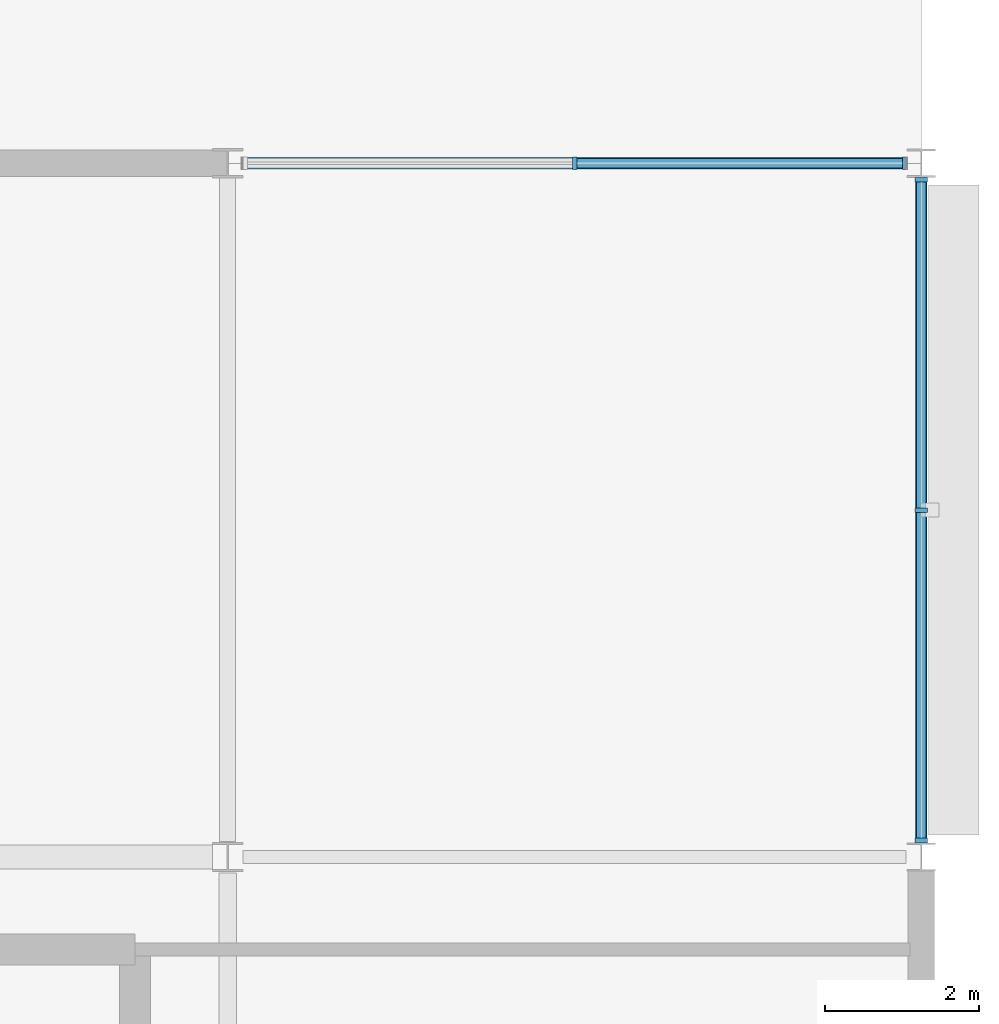
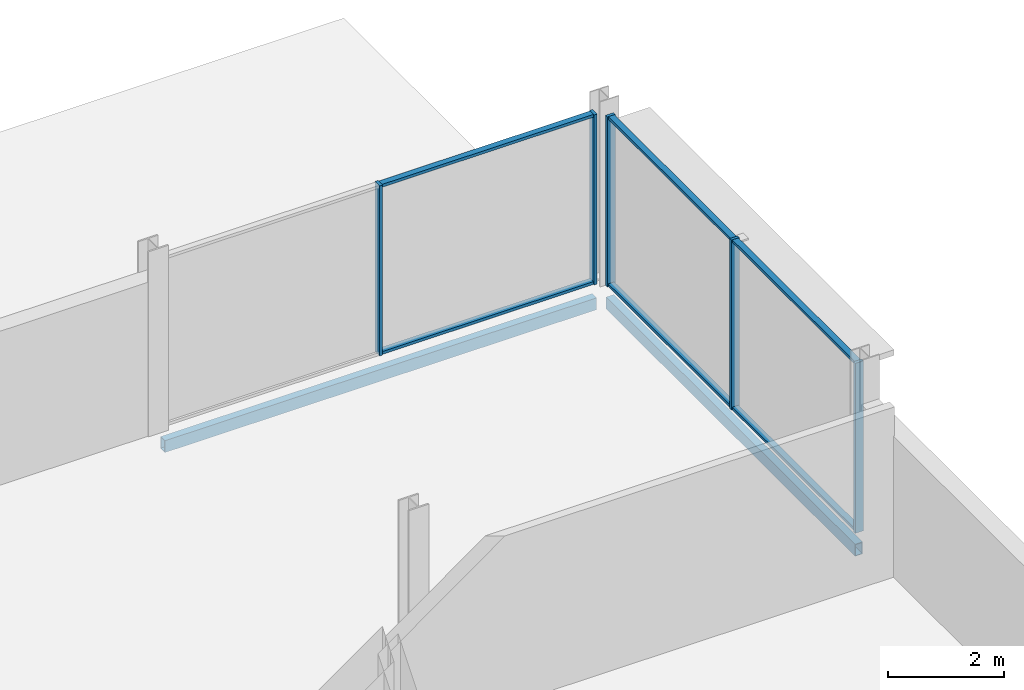
# One storey, part 56 of 105: 11 members, 2 beams, 2 elements without a shape of their own.
"""IFC4 building model written with IfcOpenShell, lengths in metres."""

from ifc_helpers import new_model, si_unit, direction, frame, origin, origin_2d, place, context, subcontext, project, spatial, rectangle, hollow_rectangle, extrude, material, layer, layer_set, material_profile, profile_set, type_object, element, aggregate, save


model = new_model("IFC4")

# Units and contexts
model_context = context("Model", 3, precision=1e-05, world=origin(), true_north=direction((0.0, 1.0)))
body_context = subcontext(model_context, "Body", "Model", "MODEL_VIEW")
ifc_project = project(units=[si_unit("LENGTHUNIT", "METRE"), si_unit("AREAUNIT", "SQUARE_METRE"), si_unit("VOLUMEUNIT", "CUBIC_METRE"), si_unit("PLANEANGLEUNIT", "RADIAN"), si_unit("MASSUNIT", "GRAM", prefix="KILO")], contexts=[model_context])

# Site, building, storey
site_placement = place(None, origin())
site = spatial("IfcSite", under=ifc_project, at=site_placement, CompositionType="ELEMENT")
building_placement = place(site_placement, origin())
building = spatial("IfcBuilding", under=site, at=building_placement, Name="Kisiwana Market Hall", CompositionType="ELEMENT")
storey_placement = place(building_placement, frame((0.0, 0.0, 21.60009765625)))
storey = spatial("IfcBuildingStorey", under=building, at=storey_placement, Name="L04", CompositionType="ELEMENT", Elevation=21.60009765625)

# Beams
ifc_material_1 = material(Name="Steel S355", Category="steel")
ifc_material_profile_1 = material_profile(ifc_material_1, hollow_rectangle(XDim=0.14990234375, YDim=0.25, WallThickness=0.010009765625, at=origin_2d()), Name="RHS 250x150x10.0")
ifc_profile_set_1 = profile_set([ifc_material_profile_1], Name="Steel S355")
beam_type = type_object("IfcBeamType", Name="BM-SPAN-RHS250", PredefinedType="SPANDREL", material=ifc_profile_set_1)
beam_1_placement = place(storey_placement, frame((189.195556640625, 111.0, -0.4169921875), z_axis=(1.0, 0.0, 0.0), x_axis=(0.0, 1.0, 0.0)))
element("IfcBeam", 1, at=beam_1_placement, inside=storey, type_object=beam_type, Name="Floor beam B-1488", PredefinedType="SPANDREL", context=body_context, shape_type="SweptSolid", body=[
    extrude(hollow_rectangle(XDim=0.14990234375, YDim=0.25, WallThickness=0.010009765625, at=origin_2d()), origin(), (0.0, 0.0, 1.0), 8.60888671875),
])
beam_2_placement = place(storey_placement, frame((198.0, 102.2041015625, -0.3701171875), z_axis=(0.0, 1.0, 0.0), x_axis=(-1.0, 0.0, 0.0)))
element("IfcBeam", 2, at=beam_2_placement, inside=storey, type_object=beam_type, Name="Floor beam B-1516", PredefinedType="SPANDREL", context=body_context, shape_type="SweptSolid", body=[
    extrude(hollow_rectangle(XDim=0.14990234375, YDim=0.25, WallThickness=0.010009765625, at=origin_2d()), origin(), (0.0, 0.0, 1.0), 8.60302734375),
])

# Curtain wall, members
ifc_material_2 = material(Name="Double-glazed solar-control low-E IGU", Category="glass")
ifc_layer = layer(ifc_material_2, 0.159912109375)
ifc_layer_set = layer_set([ifc_layer], Name="CW-ZNA-EW-8200")
curtain_wall_type = type_object("IfcCurtainWallType", Name="CW-ZNA-EW-8200", PredefinedType="USERDEFINED", material=ifc_layer_set)
curtain_wall_1_placement = place(storey_placement, origin())
curtain_wall_1 = element("IfcCurtainWall", 3, at=curtain_wall_1_placement, inside=storey, type_object=curtain_wall_type, Name="Unitised curtain wall CW-118 (L04)", ObjectType="UNITISED CURTAIN WALL", PredefinedType="USERDEFINED")
ifc_material_3 = material(Name="Aluminium alloy 6063-T6", Category="aluminium")
ifc_material_profile_2 = material_profile(ifc_material_3, rectangle(XDim=0.06005859375, YDim=0.159912109375, at=origin_2d()), Name="ALU MULLION 60x160")
ifc_profile_set_2 = profile_set([ifc_material_profile_2], Name="Aluminium alloy 6063-T6")
member_type_1 = type_object("IfcMemberType", Name="CW-MULL-60x160", PredefinedType="MULLION", material=ifc_profile_set_2)
member_1_placement = place(storey_placement, frame((193.505615234375, 111.0, 0.0), z_axis=(0.0, 0.0, 1.0), x_axis=(1.0, 0.0, 0.0)))
member_1 = element("IfcMember", 4, at=member_1_placement, type_object=member_type_1, Name="CW-118 mullion 2", PredefinedType="MULLION", context=body_context, shape_type="SweptSolid", body=[
    extrude(rectangle(XDim=0.06005859375, YDim=0.159912109375, at=origin_2d()), origin(), (0.0, 0.0, 1.0), 3.5849609375),
])
member_2_placement = place(storey_placement, frame((197.78369140625, 111.0, 0.0), z_axis=(0.0, 0.0, 1.0), x_axis=(1.0, 0.0, 0.0)))
member_2 = element("IfcMember", 5, at=member_2_placement, type_object=member_type_1, Name="CW-118 mullion 3", PredefinedType="MULLION", context=body_context, shape_type="SweptSolid", body=[
    extrude(rectangle(XDim=0.06005859375, YDim=0.159912109375, at=origin_2d()), origin(), (0.0, 0.0, 1.0), 3.5849609375),
])

curtain_wall_2_placement = place(storey_placement, origin())
curtain_wall_2 = element("IfcCurtainWall", 6, at=curtain_wall_2_placement, inside=storey, type_object=curtain_wall_type, Name="Unitised curtain wall CW-128 (L04)", ObjectType="UNITISED CURTAIN WALL", PredefinedType="USERDEFINED")
member_3_placement = place(storey_placement, frame((198.0, 102.214111328125, 0.0), z_axis=(0.0, 0.0, 1.0), x_axis=(0.0, 1.0, 0.0)))
member_3 = element("IfcMember", 7, at=member_3_placement, type_object=member_type_1, Name="CW-128 mullion 1", PredefinedType="MULLION", context=body_context, shape_type="SweptSolid", body=[
    extrude(rectangle(XDim=0.06005859375, YDim=0.159912109375, at=origin_2d()), origin(), (0.0, 0.0, 1.0), 3.5849609375),
])
member_4_placement = place(storey_placement, frame((198.0, 106.5, 0.0), z_axis=(0.0, 0.0, 1.0), x_axis=(0.0, 1.0, 0.0)))
member_4 = element("IfcMember", 8, at=member_4_placement, type_object=member_type_1, Name="CW-128 mullion 2", PredefinedType="MULLION", context=body_context, shape_type="SweptSolid", body=[
    extrude(rectangle(XDim=0.06005859375, YDim=0.159912109375, at=origin_2d()), origin(), (0.0, 0.0, 1.0), 3.5849609375),
])
member_5_placement = place(storey_placement, frame((198.0, 110.785888671875, 0.0), z_axis=(0.0, 0.0, 1.0), x_axis=(0.0, 1.0, 0.0)))
member_5 = element("IfcMember", 9, at=member_5_placement, type_object=member_type_1, Name="CW-128 mullion 3", PredefinedType="MULLION", context=body_context, shape_type="SweptSolid", body=[
    extrude(rectangle(XDim=0.06005859375, YDim=0.159912109375, at=origin_2d()), origin(), (0.0, 0.0, 1.0), 3.5849609375),
])

# Member
ifc_material_4 = material(Name="Aluminium alloy 6063-T6", Category="aluminium")
ifc_material_profile_3 = material_profile(ifc_material_4, rectangle(XDim=0.1201171875, YDim=0.06005859375, at=origin_2d()), Name="ALU TRANSOM 60x120")
ifc_profile_set_3 = profile_set([ifc_material_profile_3], Name="Aluminium alloy 6063-T6")
member_type_2 = type_object("IfcMemberType", Name="CW-TRAN-60x120", PredefinedType="USERDEFINED", material=ifc_profile_set_3)
member_6_placement = place(storey_placement, frame((193.53564453125, 111.0, 0.02978515625), z_axis=(1.0, 0.0, 0.0), x_axis=(0.0, 1.0, 0.0)))
member_6 = element("IfcMember", 10, at=member_6_placement, type_object=member_type_2, Name="CW-118 transom 2.1", ObjectType="TRANSOM", PredefinedType="USERDEFINED", context=body_context, shape_type="SweptSolid", body=[
    extrude(rectangle(XDim=0.1201171875, YDim=0.06005859375, at=origin_2d()), origin(), (0.0, 0.0, 1.0), 4.218017578125),
])

member_7_placement = place(storey_placement, frame((193.53564453125, 111.0, 3.554931640625), z_axis=(1.0, 0.0, 0.0), x_axis=(0.0, 1.0, 0.0)))
member_7 = element("IfcMember", 11, at=member_7_placement, type_object=member_type_2, Name="CW-118 transom 2.2", ObjectType="TRANSOM", PredefinedType="USERDEFINED", context=body_context, shape_type="SweptSolid", body=[
    extrude(rectangle(XDim=0.1201171875, YDim=0.06005859375, at=origin_2d()), origin(), (0.0, 0.0, 1.0), 4.218017578125),
])

aggregate(curtain_wall_1, [member_1, member_2, member_6, member_7])

member_8_placement = place(storey_placement, frame((198.0, 102.244140625, 0.02978515625), z_axis=(0.0, 1.0, 0.0), x_axis=(-1.0, 0.0, 0.0)))
member_8 = element("IfcMember", 12, at=member_8_placement, type_object=member_type_2, Name="CW-128 transom 1.1", ObjectType="TRANSOM", PredefinedType="USERDEFINED", context=body_context, shape_type="SweptSolid", body=[
    extrude(rectangle(XDim=0.1201171875, YDim=0.06005859375, at=origin_2d()), origin(), (0.0, 0.0, 1.0), 4.225830078125),
])

member_9_placement = place(storey_placement, frame((198.0, 102.244140625, 3.554931640625), z_axis=(0.0, 1.0, 0.0), x_axis=(-1.0, 0.0, 0.0)))
member_9 = element("IfcMember", 13, at=member_9_placement, type_object=member_type_2, Name="CW-128 transom 1.2", ObjectType="TRANSOM", PredefinedType="USERDEFINED", context=body_context, shape_type="SweptSolid", body=[
    extrude(rectangle(XDim=0.1201171875, YDim=0.06005859375, at=origin_2d()), origin(), (0.0, 0.0, 1.0), 4.225830078125),
])

member_10_placement = place(storey_placement, frame((198.0, 106.530029296875, 0.02978515625), z_axis=(0.0, 1.0, 0.0), x_axis=(-1.0, 0.0, 0.0)))
member_10 = element("IfcMember", 14, at=member_10_placement, type_object=member_type_2, Name="CW-128 transom 2.1", ObjectType="TRANSOM", PredefinedType="USERDEFINED", context=body_context, shape_type="SweptSolid", body=[
    extrude(rectangle(XDim=0.1201171875, YDim=0.06005859375, at=origin_2d()), origin(), (0.0, 0.0, 1.0), 4.225830078125),
])

member_11_placement = place(storey_placement, frame((198.0, 106.530029296875, 3.554931640625), z_axis=(0.0, 1.0, 0.0), x_axis=(-1.0, 0.0, 0.0)))
member_11 = element("IfcMember", 15, at=member_11_placement, type_object=member_type_2, Name="CW-128 transom 2.2", ObjectType="TRANSOM", PredefinedType="USERDEFINED", context=body_context, shape_type="SweptSolid", body=[
    extrude(rectangle(XDim=0.1201171875, YDim=0.06005859375, at=origin_2d()), origin(), (0.0, 0.0, 1.0), 4.225830078125),
])

aggregate(curtain_wall_2, [member_3, member_4, member_5, member_8, member_9, member_10, member_11])

save(model, "model.ifc")
